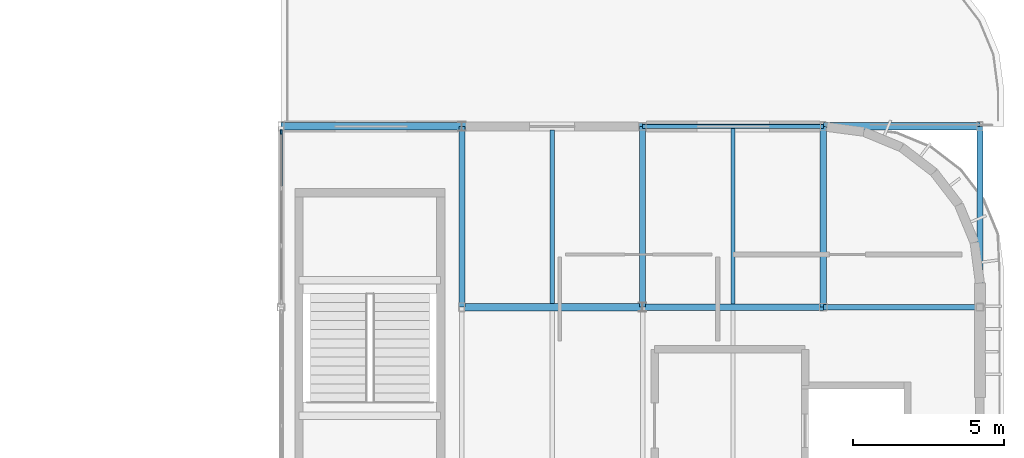
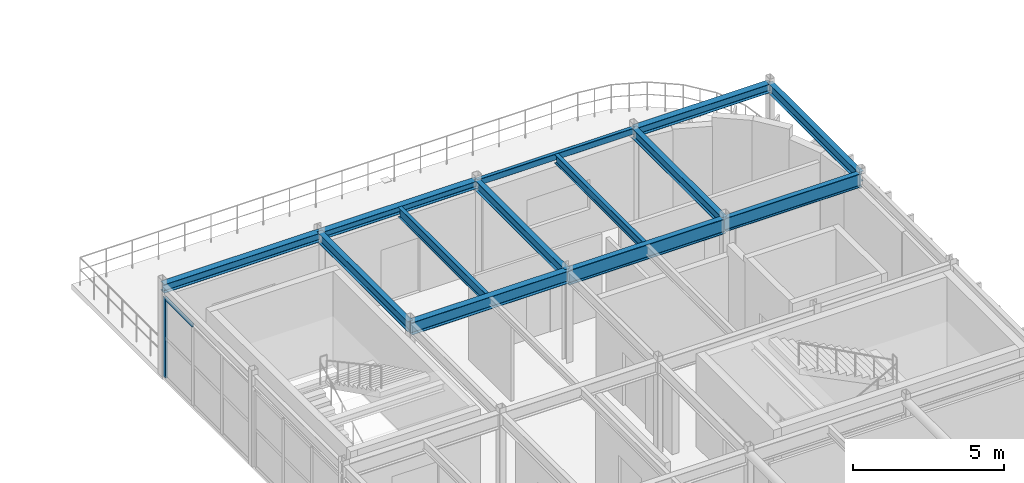
# One storey, part 9 of 27: 13 beams, 2 members, 1 element without a shape of its own.
"""IFC4 building model written with IfcOpenShell, lengths in metres."""

from ifc_helpers import new_model, si_unit, direction, frame, origin, origin_2d, place, context, subcontext, project, spatial, rectangle, hollow_rectangle, i_section, extrude, material, material_profile, profile_set, type_object, element, aggregate, save


model = new_model("IFC4")

# Units and contexts
model_context = context("Model", 3, precision=1e-05, world=origin(), true_north=direction((0.0, 1.0)))
body_context = subcontext(model_context, "Body", "Model", "MODEL_VIEW")
ifc_project = project(units=[si_unit("LENGTHUNIT", "METRE"), si_unit("AREAUNIT", "SQUARE_METRE"), si_unit("VOLUMEUNIT", "CUBIC_METRE"), si_unit("PLANEANGLEUNIT", "RADIAN"), si_unit("MASSUNIT", "GRAM", prefix="KILO")], contexts=[model_context])

# Site, building, storey
site_placement = place(None, origin())
site = spatial("IfcSite", under=ifc_project, at=site_placement, CompositionType="ELEMENT")
building_placement = place(site_placement, origin())
building = spatial("IfcBuilding", under=site, at=building_placement, Name="Varnakota Square Police Headquarters", CompositionType="ELEMENT")
storey_placement = place(building_placement, frame((0.0, 0.0, 26.10009765625)))
storey = spatial("IfcBuildingStorey", under=building, at=storey_placement, Name="L06", CompositionType="ELEMENT", Elevation=26.10009765625)

# Beams
ifc_material_1 = material(Name="Steel IS 2062 Grade 350", Category="steel")
ifc_material_profile_1 = material_profile(ifc_material_1, hollow_rectangle(XDim=0.14990234375, YDim=0.25, WallThickness=0.010009765625, InnerFilletRadius=0.010009765625, OuterFilletRadius=0.02001953125, at=origin_2d()), Name="RHS 250x150x10")
ifc_profile_set_1 = profile_set([ifc_material_profile_1], Name="Steel IS 2062 Grade 350")
beam_type_1 = type_object("IfcBeamType", Name="BM-CBEAM-RHS250", PredefinedType="BEAM", material=ifc_profile_set_1)
beam_1_placement = place(storey_placement, frame((150.0, 39.0, 3.56494140625), z_axis=(1.0, 0.0, 0.0), x_axis=(0.0, 1.0, 0.0)))
element("IfcBeam", 1, at=beam_1_placement, inside=storey, type_object=beam_type_1, Name="BMG-L06-3334", PredefinedType="BEAM", context=body_context, shape_type="SweptSolid", body=[
    extrude(hollow_rectangle(XDim=0.14990234375, YDim=0.25, WallThickness=0.010009765625, InnerFilletRadius=0.010009765625, OuterFilletRadius=0.02001953125, at=origin_2d()), origin(), (0.0, 0.0, 1.0), 6.0),
])
ifc_material_profile_2 = material_profile(ifc_material_1, i_section(OverallWidth=0.25, OverallDepth=0.300048828125, WebThickness=0.009521484375, FlangeThickness=0.010498046875, FilletRadius=0.011962890625, at=origin_2d()), Name="ISHB 300")
ifc_profile_set_2 = profile_set([ifc_material_profile_2], Name="Steel IS 2062 Grade 350")
beam_type_2 = type_object("IfcBeamType", Name="BM-ISHB300", PredefinedType="BEAM", material=ifc_profile_set_2)
beam_2_placement = place(storey_placement, frame((144.0, 39.0, 3.539794921875), z_axis=(1.0, 0.0, 0.0), x_axis=(0.0, 1.0, 0.0)))
element("IfcBeam", 2, at=beam_2_placement, inside=storey, type_object=beam_type_2, Name="BMG-L06-3333", PredefinedType="BEAM", context=body_context, shape_type="SweptSolid", body=[
    extrude(i_section(OverallWidth=0.25, OverallDepth=0.300048828125, WebThickness=0.009521484375, FlangeThickness=0.010498046875, FilletRadius=0.011962890625, at=origin_2d()), origin(), (0.0, 0.0, 1.0), 6.0),
])
ifc_material_profile_3 = material_profile(ifc_material_1, i_section(OverallWidth=0.25, OverallDepth=0.35009765625, WebThickness=0.010009765625, FlangeThickness=0.01171875, FilletRadius=0.011962890625, at=origin_2d()), Name="ISHB 350")
ifc_profile_set_3 = profile_set([ifc_material_profile_3], Name="Steel IS 2062 Grade 350")
beam_type_3 = type_object("IfcBeamType", Name="BM-ISHB350", PredefinedType="BEAM", material=ifc_profile_set_3)
beam_3_placement = place(storey_placement, frame((138.0, 39.0, 3.514892578125), z_axis=(1.0, 0.0, 0.0), x_axis=(0.0, 1.0, 0.0)))
element("IfcBeam", 3, at=beam_3_placement, inside=storey, type_object=beam_type_3, Name="BMG-L06-3332", PredefinedType="BEAM", context=body_context, shape_type="SweptSolid", body=[
    extrude(i_section(OverallWidth=0.25, OverallDepth=0.35009765625, WebThickness=0.010009765625, FlangeThickness=0.01171875, FilletRadius=0.011962890625, at=origin_2d()), origin(), (0.0, 0.0, 1.0), 6.0),
])
beam_4_placement = place(storey_placement, frame((156.0, 39.0, 3.514892578125), z_axis=(1.0, 0.0, 0.0), x_axis=(0.0, 1.0, 0.0)))
element("IfcBeam", 4, at=beam_4_placement, inside=storey, type_object=beam_type_3, Name="BMG-L06-3335", PredefinedType="BEAM", context=body_context, shape_type="SweptSolid", body=[
    extrude(i_section(OverallWidth=0.25, OverallDepth=0.35009765625, WebThickness=0.010009765625, FlangeThickness=0.01171875, FilletRadius=0.011962890625, at=origin_2d()), origin(), (0.0, 0.0, 1.0), 5.199951171875),
])
ifc_material_profile_4 = material_profile(ifc_material_1, i_section(OverallWidth=0.139892578125, OverallDepth=0.35009765625, WebThickness=0.008056640625, FlangeThickness=0.01416015625, FilletRadius=0.013916015625, at=origin_2d()), Name="ISMB 350")
ifc_profile_set_4 = profile_set([ifc_material_profile_4], Name="Steel IS 2062 Grade 350")
beam_type_4 = type_object("IfcBeamType", Name="BM-ISMB350", PredefinedType="JOIST", material=ifc_profile_set_4)
beam_5_placement = place(storey_placement, frame((153.0, 33.10302734375, 3.514892578125), z_axis=(0.0, 1.0, 0.0), x_axis=(-1.0, 0.0, 0.0)))
element("IfcBeam", 5, at=beam_5_placement, inside=storey, type_object=beam_type_4, Name="BMG-L06-3386", PredefinedType="JOIST", context=body_context, shape_type="SweptSolid", body=[
    extrude(i_section(OverallWidth=0.139892578125, OverallDepth=0.35009765625, WebThickness=0.008056640625, FlangeThickness=0.01416015625, FilletRadius=0.013916015625, at=origin_2d()), origin(), (0.0, 0.0, 1.0), 5.823974609375),
])
ifc_material_profile_5 = material_profile(ifc_material_1, i_section(OverallWidth=0.139892578125, OverallDepth=0.39990234375, WebThickness=0.0087890625, FlangeThickness=0.01611328125, FilletRadius=0.013916015625, at=origin_2d()), Name="ISMB 400")
ifc_profile_set_5 = profile_set([ifc_material_profile_5], Name="Steel IS 2062 Grade 350")
beam_type_5 = type_object("IfcBeamType", Name="BM-ISMB400", PredefinedType="JOIST", material=ifc_profile_set_5)
beam_6_placement = place(storey_placement, frame((147.0, 33.123046875, 3.489990234375), z_axis=(0.0, 1.0, 0.0), x_axis=(-1.0, 0.0, 0.0)))
element("IfcBeam", 6, at=beam_6_placement, inside=storey, type_object=beam_type_5, Name="BMG-L06-3382", PredefinedType="JOIST", context=body_context, shape_type="SweptSolid", body=[
    extrude(i_section(OverallWidth=0.139892578125, OverallDepth=0.39990234375, WebThickness=0.0087890625, FlangeThickness=0.01611328125, FilletRadius=0.013916015625, at=origin_2d()), origin(), (0.0, 0.0, 1.0), 5.75390625),
])
ifc_material_profile_6 = material_profile(ifc_material_1, i_section(OverallWidth=0.18994140625, OverallDepth=0.550048828125, WebThickness=0.01123046875, FlangeThickness=0.019287109375, FilletRadius=0.01806640625, at=origin_2d()), Name="ISMB 550")
ifc_profile_set_6 = profile_set([ifc_material_profile_6], Name="Steel IS 2062 Grade 350")
beam_type_6 = type_object("IfcBeamType", Name="BM-ISMB550", PredefinedType="BEAM", material=ifc_profile_set_6)
beam_7_placement = place(storey_placement, frame((156.0, 33.0, 3.414794921875), z_axis=(1.0, 0.0, 0.0), x_axis=(0.0, 1.0, 0.0)))
element("IfcBeam", 7, at=beam_7_placement, inside=storey, type_object=beam_type_6, Name="BMG-L06-3331", PredefinedType="BEAM", context=body_context, shape_type="SweptSolid", body=[
    extrude(i_section(OverallWidth=0.18994140625, OverallDepth=0.550048828125, WebThickness=0.01123046875, FlangeThickness=0.019287109375, FilletRadius=0.01806640625, at=origin_2d()), origin(), (0.0, 0.0, 1.0), 5.199951171875),
])
ifc_material_profile_7 = material_profile(ifc_material_1, i_section(OverallWidth=0.2099609375, OverallDepth=0.60009765625, WebThickness=0.011962890625, FlangeThickness=0.020751953125, FilletRadius=0.02001953125, at=origin_2d()), Name="ISMB 600")
ifc_profile_set_7 = profile_set([ifc_material_profile_7], Name="Steel IS 2062 Grade 350")
beam_type_7 = type_object("IfcBeamType", Name="BM-ISMB600", PredefinedType="BEAM", material=ifc_profile_set_7)
beam_8_placement = place(storey_placement, frame((150.0, 33.0, 3.389892578125), z_axis=(1.0, 0.0, 0.0), x_axis=(0.0, 1.0, 0.0)))
element("IfcBeam", 8, at=beam_8_placement, inside=storey, type_object=beam_type_7, Name="BMG-L06-3330", PredefinedType="BEAM", context=body_context, shape_type="SweptSolid", body=[
    extrude(i_section(OverallWidth=0.2099609375, OverallDepth=0.60009765625, WebThickness=0.011962890625, FlangeThickness=0.020751953125, FilletRadius=0.02001953125, at=origin_2d()), origin(), (0.0, 0.0, 1.0), 6.0),
])
ifc_material_profile_8 = material_profile(ifc_material_1, i_section(OverallWidth=0.199951171875, OverallDepth=0.39990234375, WebThickness=0.008544921875, FlangeThickness=0.012939453125, FilletRadius=0.012939453125, at=origin_2d()), Name="ISWB 400")
ifc_profile_set_8 = profile_set([ifc_material_profile_8], Name="Steel IS 2062 Grade 350")
beam_type_8 = type_object("IfcBeamType", Name="BM-ISWB400", PredefinedType="BEAM", material=ifc_profile_set_8)
for number, where, z_axis, x_axis, name in (
    (9, (144.0, 33.0, 3.489990234375), (0.0, 1.0, 0.0), (-1.0, 0.0, 0.0), "BMG-L06-3356"),
    (10, (150.0, 33.0, 3.489990234375), (0.0, 1.0, 0.0), (-1.0, 0.0, 0.0), "BMG-L06-3362"),
    (11, (156.0, 33.0, 3.489990234375), (0.0, 1.0, 0.0), (-1.0, 0.0, 0.0), "BMG-L06-3366"),
    (12, (161.199951171875, 33.0, 3.489990234375), (0.0, 1.0, 0.0), (-1.0, 0.0, 0.0), "BMG-L06-3371"),
):
    element("IfcBeam", number, at=place(storey_placement, frame(where, z_axis=z_axis, x_axis=x_axis)), inside=storey, type_object=beam_type_8, Name=name, PredefinedType="BEAM", context=body_context, shape_type="SweptSolid", body=[
        extrude(i_section(OverallWidth=0.199951171875, OverallDepth=0.39990234375, WebThickness=0.008544921875, FlangeThickness=0.012939453125, FilletRadius=0.012939453125, at=origin_2d()), origin(), (0.0, 0.0, 1.0), 6.0),
    ])
ifc_material_profile_9 = material_profile(ifc_material_1, i_section(OverallWidth=0.25, OverallDepth=0.5, WebThickness=0.010009765625, FlangeThickness=0.0146484375, FilletRadius=0.014892578125, at=origin_2d()), Name="ISWB 500")
ifc_profile_set_9 = profile_set([ifc_material_profile_9], Name="Steel IS 2062 Grade 350")
beam_type_9 = type_object("IfcBeamType", Name="BM-ISWB500", PredefinedType="BEAM", material=ifc_profile_set_9)
beam_9_placement = place(storey_placement, frame((144.0, 33.0, 3.43994140625), z_axis=(1.0, 0.0, 0.0), x_axis=(0.0, 1.0, 0.0)))
element("IfcBeam", 13, at=beam_9_placement, inside=storey, type_object=beam_type_9, Name="BMG-L06-3329", PredefinedType="BEAM", context=body_context, shape_type="SweptSolid", body=[
    extrude(i_section(OverallWidth=0.25, OverallDepth=0.5, WebThickness=0.010009765625, FlangeThickness=0.0146484375, FilletRadius=0.014892578125, at=origin_2d()), origin(), (0.0, 0.0, 1.0), 6.0),
])

# Curtain wall, members
ifc_material_2 = material(Name="Anodised Aluminium Framing", Category="aluminium")
curtain_wall_type = type_object("IfcCurtainWallType", Name="CW-SYS-E", PredefinedType="NOTDEFINED", material=ifc_material_2)
curtain_wall_placement = place(storey_placement, origin())
curtain_wall = element("IfcCurtainWall", 14, at=curtain_wall_placement, inside=storey, type_object=curtain_wall_type, Name="Unitised curtain wall CWG-L06-119", PredefinedType="NOTDEFINED")
ifc_material_3 = material(Name="Anodised Aluminium 6063-T6", Category="aluminium")
ifc_material_profile_10 = material_profile(ifc_material_3, rectangle(XDim=0.06494140625, YDim=0.159912109375, at=origin_2d()), Name="ALU MULLION 65x160")
ifc_profile_set_10 = profile_set([ifc_material_profile_10], Name="Anodised Aluminium 6063-T6")
member_type_1 = type_object("IfcMemberType", Name="CWM-150", PredefinedType="MULLION", material=ifc_profile_set_10)
member_1_placement = place(storey_placement, frame((138.0, 38.8125, 0.0), z_axis=(0.0, 0.0, 1.0), x_axis=(-1.0, 0.0, 0.0)))
member_1 = element("IfcMember", 15, at=member_1_placement, type_object=member_type_1, Name="CWG-L06-119 mullion 4", PredefinedType="MULLION", context=body_context, shape_type="SweptSolid", body=[
    extrude(rectangle(XDim=0.06494140625, YDim=0.159912109375, at=origin_2d()), origin(), (0.0, 0.0, 1.0), 3.22998046875),
])
ifc_material_profile_11 = material_profile(ifc_material_3, rectangle(XDim=0.06494140625, YDim=0.1298828125, at=origin_2d()), Name="ALU TRANSOM 65x130")
ifc_profile_set_11 = profile_set([ifc_material_profile_11], Name="Anodised Aluminium 6063-T6")
member_type_2 = type_object("IfcMemberType", Name="CWT-120", PredefinedType="USERDEFINED", material=ifc_profile_set_11)
member_2_placement = place(storey_placement, frame((138.0, 36.972412109375, 3.197509765625), z_axis=(0.0, 1.0, 0.0), x_axis=(-1.0, 0.0, 0.0)))
member_2 = element("IfcMember", 16, at=member_2_placement, type_object=member_type_2, Name="CWG-L06-119 transom 3.3", ObjectType="TRANSOM", PredefinedType="USERDEFINED", context=body_context, shape_type="SweptSolid", body=[
    extrude(rectangle(XDim=0.06494140625, YDim=0.1298828125, at=origin_2d()), origin(), (0.0, 0.0, 1.0), 1.8076171875),
])
aggregate(curtain_wall, [member_1, member_2])

save(model, "model.ifc")
